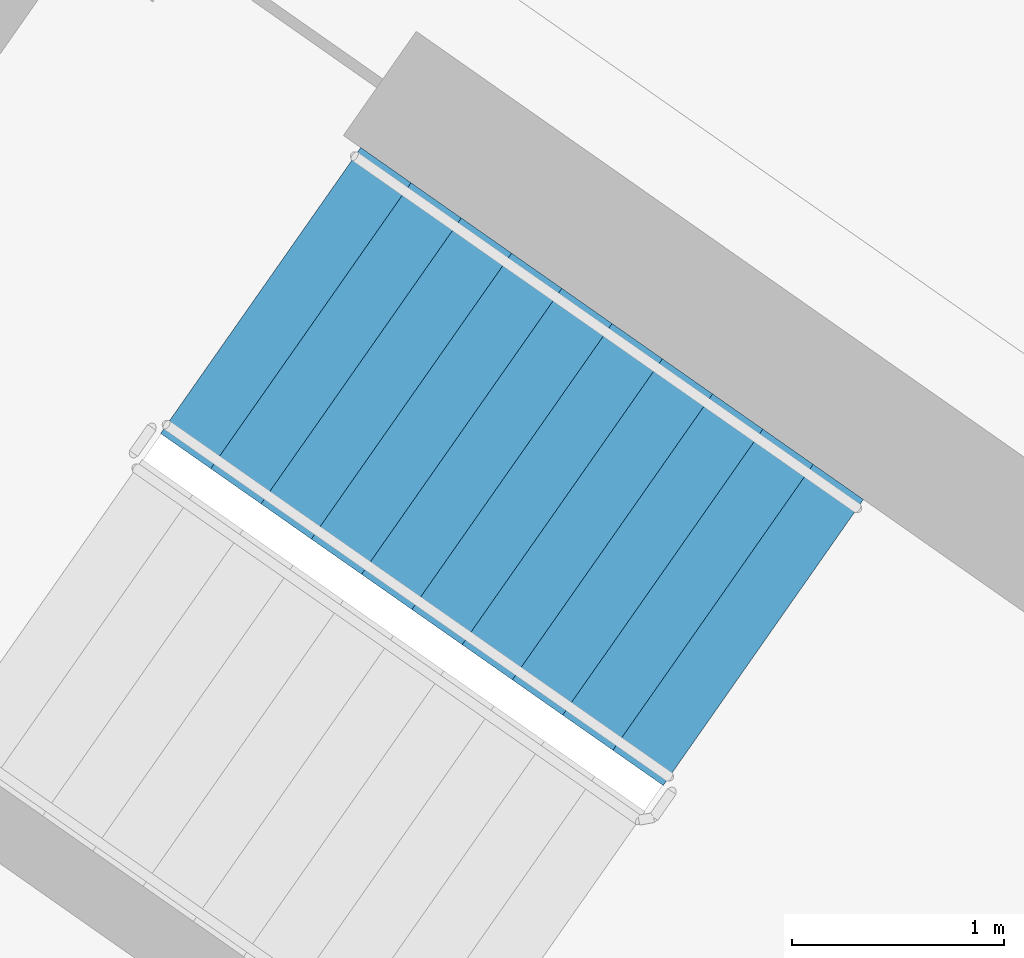
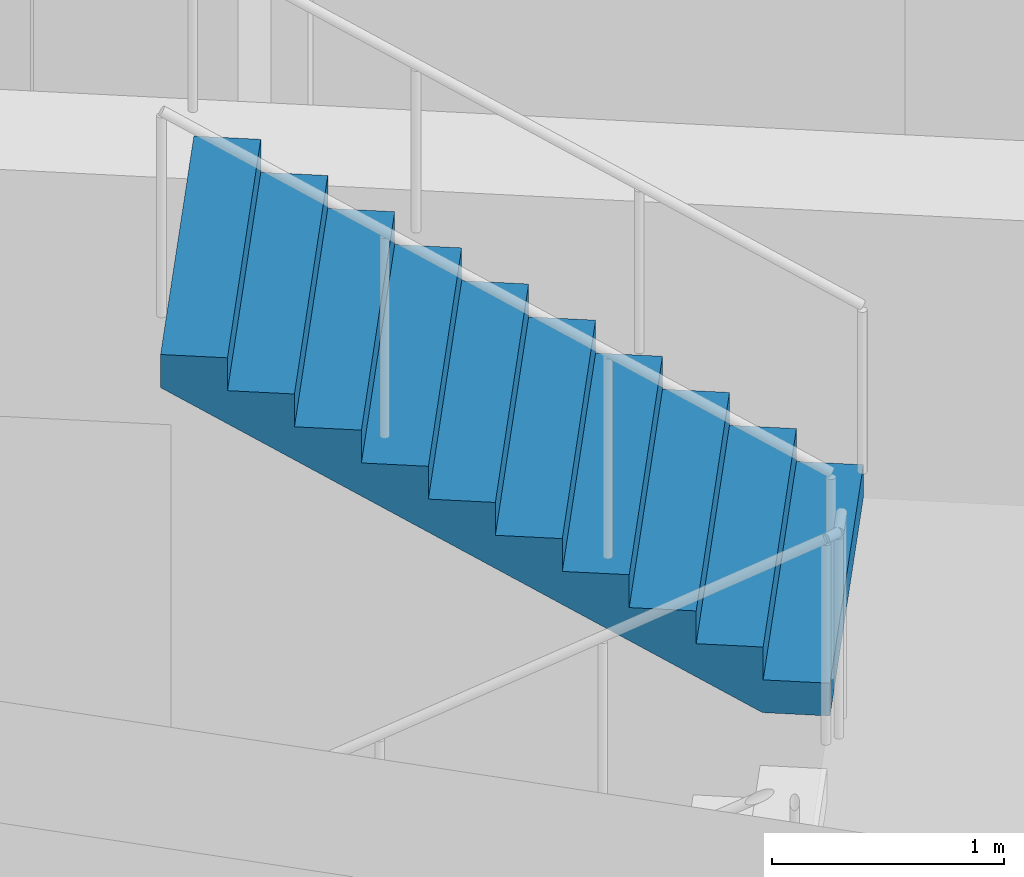
# One storey, part 12 of 27: 1 stair flight, 1 element without a shape of its own.
"""IFC4 building model written with IfcOpenShell, lengths in metres."""

import ifcopenshell
import ifcopenshell.guid

model = None  # the IFC model being written
_history = None  # IfcOwnerHistory: only IFC2X3 demands one
_inside = {}  # id of a spatial element -> (the spatial element, [elements in it])
_under = {}  # id of a project, library or spatial element -> (it, [spatial elements below it])
_declared = {}  # id of a project -> (the project, [libraries it declares])
_typed = {}  # id of a type object -> (the type object, [elements of that type])
_made_of = {}  # id of a material, layer set ... -> (it, [elements and type objects made of it])


def new_model(schema):
    """Start an empty IFC model of exactly this schema.

    Asked for "IFC4X3", IfcOpenShell would pick the latest addendum, in which some entities
    have other attributes; the version numbers below select the first issue.
    IFC2X3 requires an IfcOwnerHistory on every rooted entity: one is made here for all.
    """
    global model, _history
    if schema == "IFC4X3":
        model = ifcopenshell.file(schema_version=(4, 3, 0, 0))
    else:
        model = ifcopenshell.file(schema=schema)
    _inside.clear()
    _under.clear()
    _declared.clear()
    _typed.clear()
    _made_of.clear()
    _history = None
    if model.schema == "IFC2X3":
        org = make("IfcOrganization", Name="unknown")
        user = make(
            "IfcPersonAndOrganization",
            ThePerson=make("IfcPerson", FamilyName="unknown"),
            TheOrganization=org,
        )
        app = make(
            "IfcApplication",
            ApplicationDeveloper=org,
            Version="unknown",
            ApplicationFullName="unknown",
            ApplicationIdentifier="unknown",
        )
        _history = make(
            "IfcOwnerHistory",
            OwningUser=user,
            OwningApplication=app,
            ChangeAction="ADDED",
            CreationDate=0,
        )
    return model


def make(cls, **values):
    """One entity of the class cls with the attributes given. An attribute that is None is left unset."""
    return model.create_entity(
        cls, **{name: value for name, value in values.items() if value is not None}
    )


def rooted(cls, **values):
    """An entity with a GlobalId (a new one), such as an element, a storey or a relation."""
    return make(cls, GlobalId=ifcopenshell.guid.new(), OwnerHistory=_history, **values)


def si_unit(unit_type, name, prefix=None):
    """IfcSIUnit, for example si_unit("LENGTHUNIT", "METRE", prefix="MILLI")."""
    return make("IfcSIUnit", UnitType=unit_type, Prefix=prefix, Name=name)


def assignment(units):
    """IfcUnitAssignment: the units of a project."""
    return None if units is None else make("IfcUnitAssignment", Units=units)


def point(xyz):
    """IfcCartesianPoint."""
    return None if xyz is None else make("IfcCartesianPoint", Coordinates=xyz)


def direction(xyz):
    """IfcDirection."""
    return None if xyz is None else make("IfcDirection", DirectionRatios=xyz)


def frame(location, z_axis=None, x_axis=None):
    """IfcAxis2Placement3D, a coordinate frame: its origin and axes. An axis left out is left unset."""
    return make(
        "IfcAxis2Placement3D",
        Location=point(location),
        Axis=direction(z_axis),
        RefDirection=direction(x_axis),
    )


def origin():
    """The frame at (0, 0, 0) with its axes left unset."""
    return frame((0.0, 0.0, 0.0))


def place(relative_to, where):
    """IfcLocalPlacement: puts the frame where relative to a parent placement (None: the world)."""
    return make(
        "IfcLocalPlacement", PlacementRelTo=relative_to, RelativePlacement=where
    )


def context(
    kind, dimensions, precision=None, world=None, true_north=None, identifier=None
):
    """IfcGeometricRepresentationContext, for example the 3D "Model" context."""
    return make(
        "IfcGeometricRepresentationContext",
        ContextIdentifier=identifier,
        ContextType=kind,
        CoordinateSpaceDimension=dimensions,
        Precision=precision,
        WorldCoordinateSystem=world,
        TrueNorth=true_north,
    )


def subcontext(parent, identifier, kind, view, scale=None):
    """IfcGeometricRepresentationSubContext, for example "Body" below "Model"."""
    return make(
        "IfcGeometricRepresentationSubContext",
        ContextIdentifier=identifier,
        ContextType=kind,
        ParentContext=parent,
        TargetScale=scale,
        TargetView=view,
    )


def project(units=None, contexts=None):
    """IfcProject with its units and contexts."""
    return rooted(
        "IfcProject",
        Name="project",
        RepresentationContexts=contexts,
        UnitsInContext=assignment(units),
    )


def spatial(cls, under=None, at=None, **own):
    """A site, building, storey or space (cls), placed at a placement, below another one or the project."""
    s = rooted(cls, ObjectPlacement=at, **own)
    if under is not None:
        _under.setdefault(under.id(), (under, []))[1].append(s)
    return s


def faces_of(points, faces, orient=None, outer=None):
    """IfcFace entities. A face is a list of loops; a loop is a list of indices into points, from 0.

    orient and outer hold one flag for each loop. By default every Orientation is true, the
    first loop of a face is its IfcFaceOuterBound and the others are IfcFaceBound.
    """
    made = []
    for i, loops in enumerate(faces):
        bounds = []
        for j, loop in enumerate(loops):
            is_outer = j == 0 if outer is None else outer[i][j]
            bounds.append(
                make(
                    "IfcFaceOuterBound" if is_outer else "IfcFaceBound",
                    Bound=make("IfcPolyLoop", Polygon=[points[k] for k in loop]),
                    Orientation=True if orient is None else orient[i][j],
                )
            )
        made.append(make("IfcFace", Bounds=bounds))
    return made


def faceted_brep(points, faces, orient=None, outer=None, voids=None):
    """IfcFacetedBrep: a solid bounded by flat faces; with voids (closed shells), ...WithVoids."""
    shared = [point(p) for p in points]
    hull = make("IfcClosedShell", CfsFaces=faces_of(shared, faces, orient, outer))
    if voids is None:
        return make("IfcFacetedBrep", Outer=hull)
    return make(
        "IfcFacetedBrepWithVoids",
        Outer=hull,
        Voids=[
            make(cls, CfsFaces=faces_of(shared, fs, o, b)) for cls, fs, o, b in voids
        ],
    )


def shape(context_of_items, identifier, shape_type, items):
    """IfcShapeRepresentation: the items that make up one representation, for example the "Body"."""
    return make(
        "IfcShapeRepresentation",
        ContextOfItems=context_of_items,
        RepresentationIdentifier=identifier,
        RepresentationType=shape_type,
        Items=items,
    )


def material(Name=None, Category=None):
    """IfcMaterial."""
    return make("IfcMaterial", Name=Name, Category=Category)


def made_of(thing, what):
    """Note that an element or type object is made of a material, layer set ...; save() writes the relation."""
    if what is not None:
        _made_of.setdefault(what.id(), (what, []))[1].append(thing)
    return thing


def type_object(cls, material=None, **own):
    """A type object (cls), such as IfcWallType, which elements share."""
    return made_of(rooted(cls, **own), material)


def element(
    cls,
    number,
    at=None,
    inside=None,
    cuts=None,
    type_object=None,
    material=None,
    context=None,
    identifier="Body",
    shape_type=None,
    held_by="IfcProductDefinitionShape",
    body=None,
    shapes=None,
    **own,
):
    """One element of the class cls, such as IfcWall. Its Tag is "e" and its number.

    at: its placement. inside: the storey or other place that contains it. cuts: it is an
    opening in that element (IfcRelVoidsElement). A single representation is given by context,
    identifier, shape_type and body (its items); several are given by shapes. held_by: the class
    of the entity that holds the representations. save() writes the other relations.
    """
    e = rooted(cls, Tag="e%d" % number, ObjectPlacement=at, **own)
    if body is not None:
        shapes = [shape(context, identifier, shape_type, body)]
    if shapes is not None:
        e.Representation = make(held_by, Representations=shapes)
    if inside is not None:
        _inside.setdefault(inside.id(), (inside, []))[1].append(e)
    if cuts is not None:
        rooted(
            "IfcRelVoidsElement", RelatingBuildingElement=cuts, RelatedOpeningElement=e
        )
    if type_object is not None:
        _typed.setdefault(type_object.id(), (type_object, []))[1].append(e)
    return made_of(e, material)


def aggregate(whole, parts):
    """IfcRelAggregates: a whole, such as a stair, and the parts it consists of."""
    return rooted("IfcRelAggregates", RelatingObject=whole, RelatedObjects=parts)


def save(model, path):
    """Write the relations noted so far, then the file.

    IfcRelAggregates (storeys below a building ...), IfcRelContainedInSpatialStructure (elements
    in a storey), IfcRelDefinesByType, IfcRelAssociatesMaterial and IfcRelDeclares: one each for
    every whole, place, type object, material and project.
    """
    for whole, parts in _under.values():
        aggregate(whole, parts)
    for where, things in _inside.values():
        rooted(
            "IfcRelContainedInSpatialStructure",
            RelatedElements=things,
            RelatingStructure=where,
        )
    for kind, things in _typed.values():
        rooted("IfcRelDefinesByType", RelatedObjects=things, RelatingType=kind)
    for what, things in _made_of.values():
        rooted("IfcRelAssociatesMaterial", RelatedObjects=things, RelatingMaterial=what)
    for by, libraries in _declared.values():
        rooted("IfcRelDeclares", RelatingContext=by, RelatedDefinitions=libraries)
    model.write(path)


model = new_model("IFC4")

# Units and contexts
model_context = context("Model", 3, precision=1e-05, world=origin(), true_north=direction((0.0, 1.0)))
body_context = subcontext(model_context, "Body", "Model", "MODEL_VIEW")
ifc_project = project(units=[si_unit("LENGTHUNIT", "METRE"), si_unit("AREAUNIT", "SQUARE_METRE"), si_unit("VOLUMEUNIT", "CUBIC_METRE"), si_unit("PLANEANGLEUNIT", "RADIAN"), si_unit("MASSUNIT", "GRAM", prefix="KILO")], contexts=[model_context])

# Site, building, storey
site_placement = place(None, origin())
site = spatial("IfcSite", under=ifc_project, at=site_placement, CompositionType="ELEMENT")
building_placement = place(site_placement, origin())
building = spatial("IfcBuilding", under=site, at=building_placement, Name="Qamariyya Broadcast Tower", CompositionType="ELEMENT")
storey_placement = place(building_placement, frame((0.0, 0.0, 280.89990234375)))
storey = spatial("IfcBuildingStorey", under=building, at=storey_placement, Name="L68", CompositionType="ELEMENT", Elevation=280.89990234375)

# Stair, stair flight
ifc_material = material(Name="Concrete C50/60", Category="concrete")
stair_type = type_object("IfcStairType", Name="Exit stair 22 risers of 173 mm", PredefinedType="HALF_TURN_STAIR", material=ifc_material)
stair_placement = place(storey_placement, origin())
stair = element("IfcStair", 1, at=stair_placement, inside=storey, type_object=stair_type, Name="L68 Stair W2", PredefinedType="HALF_TURN_STAIR")
stair_flight_type = type_object("IfcStairFlightType", Name="Exit stair flight 11 risers of 173 mm", PredefinedType="STRAIGHT", material=ifc_material)
stair_flight_placement = place(storey_placement, frame((-38.18310546875, -49.3486328125, 1.900146484375), z_axis=(0.0, 0.0, 1.0), x_axis=(-0.819152044289, 0.573576436351, 0.0)))
stair_flight = element("IfcStairFlight", 2, at=stair_flight_placement, type_object=stair_flight_type, Name="ST-W2 flight 2", NumberOfRisers=11, NumberOfTreads=10, PredefinedType="STRAIGHT", RiserHeight=0.172727273, TreadLength=0.29, context=body_context, shape_type="Brep", body=[
    faceted_brep([(0.0, 0.824951171875, 0.0), (0.0, 0.824951171875, 0.172607421875), (0.2900390625, 0.824951171875, 0.172607421875), (0.2900390625, 0.824951171875, 0.345458984375), (0.580078125, 0.824951171875, 0.345458984375), (0.580078125, 0.824951171875, 0.51806640625), (0.8701171875, 0.824951171875, 0.51806640625), (0.8701171875, 0.824951171875, 0.69091796875), (1.159912109375, 0.824951171875, 0.69091796875), (1.159912109375, 0.824951171875, 0.863525390625), (1.449951171875, 0.824951171875, 0.863525390625), (1.449951171875, 0.824951171875, 1.036376953125), (1.739990234375, 0.824951171875, 1.036376953125), (1.739990234375, 0.824951171875, 1.208984375), (2.030029296875, 0.824951171875, 1.208984375), (2.030029296875, 0.824951171875, 1.3818359375), (2.320068359375, 0.824951171875, 1.3818359375), (2.320068359375, 0.824951171875, 1.554443359375), (2.610107421875, 0.824951171875, 1.554443359375), (2.610107421875, 0.824951171875, 1.727294921875), (2.89990234375, 0.824951171875, 1.727294921875), (2.89990234375, 0.824951171875, 1.552734375), (0.29296875, 0.824951171875, 0.0), (0.29296875, -0.824951171875, 0.0), (2.89990234375, -0.824951171875, 1.552734375), (2.89990234375, -0.824951171875, 1.727294921875), (2.610107421875, -0.824951171875, 1.727294921875), (2.610107421875, -0.824951171875, 1.554443359375), (2.320068359375, -0.824951171875, 1.554443359375), (2.320068359375, -0.824951171875, 1.3818359375), (2.030029296875, -0.824951171875, 1.3818359375), (2.030029296875, -0.824951171875, 1.208984375), (1.739990234375, -0.824951171875, 1.208984375), (1.739990234375, -0.824951171875, 1.036376953125), (1.449951171875, -0.824951171875, 1.036376953125), (1.449951171875, -0.824951171875, 0.863525390625), (1.159912109375, -0.824951171875, 0.863525390625), (1.159912109375, -0.824951171875, 0.69091796875), (0.8701171875, -0.824951171875, 0.69091796875), (0.8701171875, -0.824951171875, 0.51806640625), (0.580078125, -0.824951171875, 0.51806640625), (0.580078125, -0.824951171875, 0.345458984375), (0.2900390625, -0.824951171875, 0.345458984375), (0.2900390625, -0.824951171875, 0.172607421875), (0.0, -0.824951171875, 0.172607421875), (0.0, -0.824951171875, 0.0), (0.0, 0.10009765625, 0.0), (0.0, 0.086669921875, 0.0), (0.0, 0.0732421875, 0.0), (0.0, 0.06005859375, 0.0), (0.0, 0.046630859375, 0.0), (0.0, 0.033447265625, 0.0), (0.0, 0.02001953125, 0.0), (0.0, 0.006591796875, 0.0), (0.0, -0.006591796875, 0.0), (0.0, -0.02001953125, 0.0), (0.0, -0.033447265625, 0.0), (0.0, -0.046630859375, 0.0), (0.0, -0.06005859375, 0.0), (0.0, -0.0732421875, 0.0), (0.0, -0.086669921875, 0.0), (0.0, -0.10009765625, 0.0), (0.0, -0.10009765625, 0.172607421875), (0.0, -0.086669921875, 0.172607421875), (0.0, -0.0732421875, 0.172607421875), (0.0, -0.06005859375, 0.172607421875), (0.0, -0.046630859375, 0.172607421875), (0.0, -0.033447265625, 0.172607421875), (0.0, -0.02001953125, 0.172607421875), (0.0, -0.006591796875, 0.172607421875), (0.0, 0.006591796875, 0.172607421875), (0.0, 0.02001953125, 0.172607421875), (0.0, 0.033447265625, 0.172607421875), (0.0, 0.046630859375, 0.172607421875), (0.0, 0.06005859375, 0.172607421875), (0.0, 0.0732421875, 0.172607421875), (0.0, 0.086669921875, 0.172607421875), (0.0, 0.10009765625, 0.172607421875), (0.2900390625, -0.10009765625, 0.172607421875), (0.2900390625, -0.086669921875, 0.172607421875), (0.2900390625, -0.0732421875, 0.172607421875), (0.2900390625, -0.06005859375, 0.172607421875), (0.2900390625, -0.046630859375, 0.172607421875), (0.2900390625, -0.033447265625, 0.172607421875), (0.2900390625, -0.02001953125, 0.172607421875), (0.2900390625, -0.006591796875, 0.172607421875), (0.2900390625, 0.006591796875, 0.172607421875), (0.2900390625, 0.02001953125, 0.172607421875), (0.2900390625, 0.033447265625, 0.172607421875), (0.2900390625, 0.046630859375, 0.172607421875), (0.2900390625, 0.06005859375, 0.172607421875), (0.2900390625, 0.0732421875, 0.172607421875), (0.2900390625, 0.086669921875, 0.172607421875), (0.2900390625, 0.10009765625, 0.172607421875), (0.2900390625, -0.10009765625, 0.345458984375), (0.2900390625, -0.086669921875, 0.345458984375), (0.2900390625, -0.0732421875, 0.345458984375), (0.2900390625, -0.06005859375, 0.345458984375), (0.2900390625, -0.046630859375, 0.345458984375), (0.2900390625, -0.033447265625, 0.345458984375), (0.2900390625, -0.02001953125, 0.345458984375), (0.2900390625, -0.006591796875, 0.345458984375), (0.2900390625, 0.006591796875, 0.345458984375), (0.2900390625, 0.02001953125, 0.345458984375), (0.2900390625, 0.033447265625, 0.345458984375), (0.2900390625, 0.046630859375, 0.345458984375), (0.2900390625, 0.06005859375, 0.345458984375), (0.2900390625, 0.0732421875, 0.345458984375), (0.2900390625, 0.086669921875, 0.345458984375), (0.2900390625, 0.10009765625, 0.345458984375), (0.580078125, -0.10009765625, 0.345458984375), (0.580078125, -0.086669921875, 0.345458984375), (0.580078125, -0.0732421875, 0.345458984375), (0.580078125, -0.06005859375, 0.345458984375), (0.580078125, -0.046630859375, 0.345458984375), (0.580078125, -0.033447265625, 0.345458984375), (0.580078125, -0.02001953125, 0.345458984375), (0.580078125, -0.006591796875, 0.345458984375), (0.580078125, 0.006591796875, 0.345458984375), (0.580078125, 0.02001953125, 0.345458984375), (0.580078125, 0.033447265625, 0.345458984375), (0.580078125, 0.046630859375, 0.345458984375), (0.580078125, 0.06005859375, 0.345458984375), (0.580078125, 0.0732421875, 0.345458984375), (0.580078125, 0.086669921875, 0.345458984375), (0.580078125, 0.10009765625, 0.345458984375), (0.580078125, -0.10009765625, 0.51806640625), (0.580078125, -0.086669921875, 0.51806640625), (0.580078125, -0.0732421875, 0.51806640625), (0.580078125, -0.06005859375, 0.51806640625), (0.580078125, -0.046630859375, 0.51806640625), (0.580078125, -0.033447265625, 0.51806640625), (0.580078125, -0.02001953125, 0.51806640625), (0.580078125, -0.006591796875, 0.51806640625), (0.580078125, 0.006591796875, 0.51806640625), (0.580078125, 0.02001953125, 0.51806640625), (0.580078125, 0.033447265625, 0.51806640625), (0.580078125, 0.046630859375, 0.51806640625), (0.580078125, 0.06005859375, 0.51806640625), (0.580078125, 0.0732421875, 0.51806640625), (0.580078125, 0.086669921875, 0.51806640625), (0.580078125, 0.10009765625, 0.51806640625), (0.8701171875, -0.10009765625, 0.51806640625), (0.8701171875, -0.086669921875, 0.51806640625), (0.8701171875, -0.0732421875, 0.51806640625), (0.8701171875, -0.06005859375, 0.51806640625), (0.8701171875, -0.046630859375, 0.51806640625), (0.8701171875, -0.033447265625, 0.51806640625), (0.8701171875, -0.02001953125, 0.51806640625), (0.8701171875, -0.006591796875, 0.51806640625), (0.8701171875, 0.006591796875, 0.51806640625), (0.8701171875, 0.02001953125, 0.51806640625), (0.8701171875, 0.033447265625, 0.51806640625), (0.8701171875, 0.046630859375, 0.51806640625), (0.8701171875, 0.06005859375, 0.51806640625), (0.8701171875, 0.0732421875, 0.51806640625), (0.8701171875, 0.086669921875, 0.51806640625), (0.8701171875, 0.10009765625, 0.51806640625), (0.8701171875, -0.10009765625, 0.69091796875), (0.8701171875, -0.086669921875, 0.69091796875), (0.8701171875, -0.0732421875, 0.69091796875), (0.8701171875, -0.06005859375, 0.69091796875), (0.8701171875, -0.046630859375, 0.69091796875), (0.8701171875, -0.033447265625, 0.69091796875), (0.8701171875, -0.02001953125, 0.69091796875), (0.8701171875, -0.006591796875, 0.69091796875), (0.8701171875, 0.006591796875, 0.69091796875), (0.8701171875, 0.02001953125, 0.69091796875), (0.8701171875, 0.033447265625, 0.69091796875), (0.8701171875, 0.046630859375, 0.69091796875), (0.8701171875, 0.06005859375, 0.69091796875), (0.8701171875, 0.0732421875, 0.69091796875), (0.8701171875, 0.086669921875, 0.69091796875), (0.8701171875, 0.10009765625, 0.69091796875), (1.159912109375, -0.10009765625, 0.69091796875), (1.159912109375, -0.086669921875, 0.69091796875), (1.159912109375, -0.0732421875, 0.69091796875), (1.159912109375, -0.06005859375, 0.69091796875), (1.159912109375, -0.046630859375, 0.69091796875), (1.159912109375, -0.033447265625, 0.69091796875), (1.159912109375, -0.02001953125, 0.69091796875), (1.159912109375, -0.006591796875, 0.69091796875), (1.159912109375, 0.006591796875, 0.69091796875), (1.159912109375, 0.02001953125, 0.69091796875), (1.159912109375, 0.033447265625, 0.69091796875), (1.159912109375, 0.046630859375, 0.69091796875), (1.159912109375, 0.06005859375, 0.69091796875), (1.159912109375, 0.0732421875, 0.69091796875), (1.159912109375, 0.086669921875, 0.69091796875), (1.159912109375, 0.10009765625, 0.69091796875), (1.159912109375, -0.10009765625, 0.863525390625), (1.159912109375, -0.086669921875, 0.863525390625), (1.159912109375, -0.0732421875, 0.863525390625), (1.159912109375, -0.06005859375, 0.863525390625), (1.159912109375, -0.046630859375, 0.863525390625), (1.159912109375, -0.033447265625, 0.863525390625), (1.159912109375, -0.02001953125, 0.863525390625), (1.159912109375, -0.006591796875, 0.863525390625), (1.159912109375, 0.006591796875, 0.863525390625), (1.159912109375, 0.02001953125, 0.863525390625), (1.159912109375, 0.033447265625, 0.863525390625), (1.159912109375, 0.046630859375, 0.863525390625), (1.159912109375, 0.06005859375, 0.863525390625), (1.159912109375, 0.0732421875, 0.863525390625), (1.159912109375, 0.086669921875, 0.863525390625), (1.159912109375, 0.10009765625, 0.863525390625), (1.449951171875, -0.10009765625, 0.863525390625), (1.449951171875, -0.086669921875, 0.863525390625), (1.449951171875, -0.0732421875, 0.863525390625), (1.449951171875, -0.06005859375, 0.863525390625), (1.449951171875, -0.046630859375, 0.863525390625), (1.449951171875, -0.033447265625, 0.863525390625), (1.449951171875, -0.02001953125, 0.863525390625), (1.449951171875, -0.006591796875, 0.863525390625), (1.449951171875, 0.006591796875, 0.863525390625), (1.449951171875, 0.02001953125, 0.863525390625), (1.449951171875, 0.033447265625, 0.863525390625), (1.449951171875, 0.046630859375, 0.863525390625), (1.449951171875, 0.06005859375, 0.863525390625), (1.449951171875, 0.0732421875, 0.863525390625), (1.449951171875, 0.086669921875, 0.863525390625), (1.449951171875, 0.10009765625, 0.863525390625), (1.449951171875, -0.10009765625, 1.036376953125), (1.449951171875, -0.086669921875, 1.036376953125), (1.449951171875, -0.0732421875, 1.036376953125), (1.449951171875, -0.06005859375, 1.036376953125), (1.449951171875, -0.046630859375, 1.036376953125), (1.449951171875, -0.033447265625, 1.036376953125), (1.449951171875, -0.02001953125, 1.036376953125), (1.449951171875, -0.006591796875, 1.036376953125), (1.449951171875, 0.006591796875, 1.036376953125), (1.449951171875, 0.02001953125, 1.036376953125), (1.449951171875, 0.033447265625, 1.036376953125), (1.449951171875, 0.046630859375, 1.036376953125), (1.449951171875, 0.06005859375, 1.036376953125), (1.449951171875, 0.0732421875, 1.036376953125), (1.449951171875, 0.086669921875, 1.036376953125), (1.449951171875, 0.10009765625, 1.036376953125), (1.739990234375, -0.10009765625, 1.036376953125), (1.739990234375, -0.086669921875, 1.036376953125), (1.739990234375, -0.0732421875, 1.036376953125), (1.739990234375, -0.06005859375, 1.036376953125), (1.739990234375, -0.046630859375, 1.036376953125), (1.739990234375, -0.033447265625, 1.036376953125), (1.739990234375, -0.02001953125, 1.036376953125), (1.739990234375, -0.006591796875, 1.036376953125), (1.739990234375, 0.006591796875, 1.036376953125), (1.739990234375, 0.02001953125, 1.036376953125), (1.739990234375, 0.033447265625, 1.036376953125), (1.739990234375, 0.046630859375, 1.036376953125), (1.739990234375, 0.06005859375, 1.036376953125), (1.739990234375, 0.0732421875, 1.036376953125), (1.739990234375, 0.086669921875, 1.036376953125), (1.739990234375, 0.10009765625, 1.036376953125), (1.739990234375, -0.10009765625, 1.208984375), (1.739990234375, -0.086669921875, 1.208984375), (1.739990234375, -0.0732421875, 1.208984375), (1.739990234375, -0.06005859375, 1.208984375), (1.739990234375, -0.046630859375, 1.208984375), (1.739990234375, -0.033447265625, 1.208984375), (1.739990234375, -0.02001953125, 1.208984375), (1.739990234375, -0.006591796875, 1.208984375), (1.739990234375, 0.006591796875, 1.208984375), (1.739990234375, 0.02001953125, 1.208984375), (1.739990234375, 0.033447265625, 1.208984375), (1.739990234375, 0.046630859375, 1.208984375), (1.739990234375, 0.06005859375, 1.208984375), (1.739990234375, 0.0732421875, 1.208984375), (1.739990234375, 0.086669921875, 1.208984375), (1.739990234375, 0.10009765625, 1.208984375), (2.030029296875, -0.10009765625, 1.208984375), (2.030029296875, -0.086669921875, 1.208984375), (2.030029296875, -0.0732421875, 1.208984375), (2.030029296875, -0.06005859375, 1.208984375), (2.030029296875, -0.046630859375, 1.208984375), (2.030029296875, -0.033447265625, 1.208984375), (2.030029296875, -0.02001953125, 1.208984375), (2.030029296875, -0.006591796875, 1.208984375), (2.030029296875, 0.006591796875, 1.208984375), (2.030029296875, 0.02001953125, 1.208984375), (2.030029296875, 0.033447265625, 1.208984375), (2.030029296875, 0.046630859375, 1.208984375), (2.030029296875, 0.06005859375, 1.208984375), (2.030029296875, 0.0732421875, 1.208984375), (2.030029296875, 0.086669921875, 1.208984375), (2.030029296875, 0.10009765625, 1.208984375), (2.030029296875, -0.10009765625, 1.3818359375), (2.030029296875, -0.086669921875, 1.3818359375), (2.030029296875, -0.0732421875, 1.3818359375), (2.030029296875, -0.06005859375, 1.3818359375), (2.030029296875, -0.046630859375, 1.3818359375), (2.030029296875, -0.033447265625, 1.3818359375), (2.030029296875, -0.02001953125, 1.3818359375), (2.030029296875, -0.006591796875, 1.3818359375), (2.030029296875, 0.006591796875, 1.3818359375), (2.030029296875, 0.02001953125, 1.3818359375), (2.030029296875, 0.033447265625, 1.3818359375), (2.030029296875, 0.046630859375, 1.3818359375), (2.030029296875, 0.06005859375, 1.3818359375), (2.030029296875, 0.0732421875, 1.3818359375), (2.030029296875, 0.086669921875, 1.3818359375), (2.030029296875, 0.10009765625, 1.3818359375), (2.320068359375, -0.10009765625, 1.3818359375), (2.320068359375, -0.086669921875, 1.3818359375), (2.320068359375, -0.0732421875, 1.3818359375), (2.320068359375, -0.06005859375, 1.3818359375), (2.320068359375, -0.046630859375, 1.3818359375), (2.320068359375, -0.033447265625, 1.3818359375), (2.320068359375, -0.02001953125, 1.3818359375), (2.320068359375, -0.006591796875, 1.3818359375), (2.320068359375, 0.006591796875, 1.3818359375), (2.320068359375, 0.02001953125, 1.3818359375), (2.320068359375, 0.033447265625, 1.3818359375), (2.320068359375, 0.046630859375, 1.3818359375), (2.320068359375, 0.06005859375, 1.3818359375), (2.320068359375, 0.0732421875, 1.3818359375), (2.320068359375, 0.086669921875, 1.3818359375), (2.320068359375, 0.10009765625, 1.3818359375), (2.320068359375, -0.10009765625, 1.554443359375), (2.320068359375, -0.086669921875, 1.554443359375), (2.320068359375, -0.0732421875, 1.554443359375), (2.320068359375, -0.06005859375, 1.554443359375), (2.320068359375, -0.046630859375, 1.554443359375), (2.320068359375, -0.033447265625, 1.554443359375), (2.320068359375, -0.02001953125, 1.554443359375), (2.320068359375, -0.006591796875, 1.554443359375), (2.320068359375, 0.006591796875, 1.554443359375), (2.320068359375, 0.02001953125, 1.554443359375), (2.320068359375, 0.033447265625, 1.554443359375), (2.320068359375, 0.046630859375, 1.554443359375), (2.320068359375, 0.06005859375, 1.554443359375), (2.320068359375, 0.0732421875, 1.554443359375), (2.320068359375, 0.086669921875, 1.554443359375), (2.320068359375, 0.10009765625, 1.554443359375), (2.610107421875, -0.10009765625, 1.554443359375), (2.610107421875, -0.086669921875, 1.554443359375), (2.610107421875, -0.0732421875, 1.554443359375), (2.610107421875, -0.06005859375, 1.554443359375), (2.610107421875, -0.046630859375, 1.554443359375), (2.610107421875, -0.033447265625, 1.554443359375), (2.610107421875, -0.02001953125, 1.554443359375), (2.610107421875, -0.006591796875, 1.554443359375), (2.610107421875, 0.006591796875, 1.554443359375), (2.610107421875, 0.02001953125, 1.554443359375), (2.610107421875, 0.033447265625, 1.554443359375), (2.610107421875, 0.046630859375, 1.554443359375), (2.610107421875, 0.06005859375, 1.554443359375), (2.610107421875, 0.0732421875, 1.554443359375), (2.610107421875, 0.086669921875, 1.554443359375), (2.610107421875, 0.10009765625, 1.554443359375), (2.610107421875, -0.10009765625, 1.727294921875), (2.610107421875, -0.086669921875, 1.727294921875), (2.610107421875, -0.0732421875, 1.727294921875), (2.610107421875, -0.06005859375, 1.727294921875), (2.610107421875, -0.046630859375, 1.727294921875), (2.610107421875, -0.033447265625, 1.727294921875), (2.610107421875, -0.02001953125, 1.727294921875), (2.610107421875, -0.006591796875, 1.727294921875), (2.610107421875, 0.006591796875, 1.727294921875), (2.610107421875, 0.02001953125, 1.727294921875), (2.610107421875, 0.033447265625, 1.727294921875), (2.610107421875, 0.046630859375, 1.727294921875), (2.610107421875, 0.06005859375, 1.727294921875), (2.610107421875, 0.0732421875, 1.727294921875), (2.610107421875, 0.086669921875, 1.727294921875), (2.610107421875, 0.10009765625, 1.727294921875), (2.89990234375, -0.10009765625, 1.727294921875), (2.89990234375, -0.086669921875, 1.727294921875), (2.89990234375, -0.0732421875, 1.727294921875), (2.89990234375, -0.06005859375, 1.727294921875), (2.89990234375, -0.046630859375, 1.727294921875), (2.89990234375, -0.033447265625, 1.727294921875), (2.89990234375, -0.02001953125, 1.727294921875), (2.89990234375, -0.006591796875, 1.727294921875), (2.89990234375, 0.006591796875, 1.727294921875), (2.89990234375, 0.02001953125, 1.727294921875), (2.89990234375, 0.033447265625, 1.727294921875), (2.89990234375, 0.046630859375, 1.727294921875), (2.89990234375, 0.06005859375, 1.727294921875), (2.89990234375, 0.0732421875, 1.727294921875), (2.89990234375, 0.086669921875, 1.727294921875), (2.89990234375, 0.10009765625, 1.727294921875), (2.89990234375, -0.10009765625, 1.552734375), (2.89990234375, -0.086669921875, 1.552734375), (2.89990234375, -0.0732421875, 1.552734375), (2.89990234375, -0.06005859375, 1.552734375), (2.89990234375, -0.046630859375, 1.552734375), (2.89990234375, -0.033447265625, 1.552734375), (2.89990234375, -0.02001953125, 1.552734375), (2.89990234375, -0.006591796875, 1.552734375), (2.89990234375, 0.006591796875, 1.552734375), (2.89990234375, 0.02001953125, 1.552734375), (2.89990234375, 0.033447265625, 1.552734375), (2.89990234375, 0.046630859375, 1.552734375), (2.89990234375, 0.06005859375, 1.552734375), (2.89990234375, 0.0732421875, 1.552734375), (2.89990234375, 0.086669921875, 1.552734375), (2.89990234375, 0.10009765625, 1.552734375), (0.29296875, -0.10009765625, 0.0), (0.29296875, -0.086669921875, 0.0), (0.29296875, -0.0732421875, 0.0), (0.29296875, -0.06005859375, 0.0), (0.29296875, -0.046630859375, 0.0), (0.29296875, -0.033447265625, 0.0), (0.29296875, -0.02001953125, 0.0), (0.29296875, -0.006591796875, 0.0), (0.29296875, 0.006591796875, 0.0), (0.29296875, 0.02001953125, 0.0), (0.29296875, 0.033447265625, 0.0), (0.29296875, 0.046630859375, 0.0), (0.29296875, 0.06005859375, 0.0), (0.29296875, 0.0732421875, 0.0), (0.29296875, 0.086669921875, 0.0), (0.29296875, 0.10009765625, 0.0)], [[[0, 1, 2, 3, 4, 5, 6, 7, 8, 9, 10, 11, 12, 13, 14, 15, 16, 17, 18, 19, 20, 21, 22]], [[23, 24, 25, 26, 27, 28, 29, 30, 31, 32, 33, 34, 35, 36, 37, 38, 39, 40, 41, 42, 43, 44, 45]], [[0, 46, 47, 48, 49, 50, 51, 52, 53, 54, 55, 56, 57, 58, 59, 60, 61, 45, 44, 62, 63, 64, 65, 66, 67, 68, 69, 70, 71, 72, 73, 74, 75, 76, 77, 1]], [[1, 77, 76, 75, 74, 73, 72, 71, 70, 69, 68, 67, 66, 65, 64, 63, 62, 44, 43, 78, 79, 80, 81, 82, 83, 84, 85, 86, 87, 88, 89, 90, 91, 92, 93, 2]], [[2, 93, 92, 91, 90, 89, 88, 87, 86, 85, 84, 83, 82, 81, 80, 79, 78, 43, 42, 94, 95, 96, 97, 98, 99, 100, 101, 102, 103, 104, 105, 106, 107, 108, 109, 3]], [[3, 109, 108, 107, 106, 105, 104, 103, 102, 101, 100, 99, 98, 97, 96, 95, 94, 42, 41, 110, 111, 112, 113, 114, 115, 116, 117, 118, 119, 120, 121, 122, 123, 124, 125, 4]], [[4, 125, 124, 123, 122, 121, 120, 119, 118, 117, 116, 115, 114, 113, 112, 111, 110, 41, 40, 126, 127, 128, 129, 130, 131, 132, 133, 134, 135, 136, 137, 138, 139, 140, 141, 5]], [[5, 141, 140, 139, 138, 137, 136, 135, 134, 133, 132, 131, 130, 129, 128, 127, 126, 40, 39, 142, 143, 144, 145, 146, 147, 148, 149, 150, 151, 152, 153, 154, 155, 156, 157, 6]], [[6, 157, 156, 155, 154, 153, 152, 151, 150, 149, 148, 147, 146, 145, 144, 143, 142, 39, 38, 158, 159, 160, 161, 162, 163, 164, 165, 166, 167, 168, 169, 170, 171, 172, 173, 7]], [[7, 173, 172, 171, 170, 169, 168, 167, 166, 165, 164, 163, 162, 161, 160, 159, 158, 38, 37, 174, 175, 176, 177, 178, 179, 180, 181, 182, 183, 184, 185, 186, 187, 188, 189, 8]], [[8, 189, 188, 187, 186, 185, 184, 183, 182, 181, 180, 179, 178, 177, 176, 175, 174, 37, 36, 190, 191, 192, 193, 194, 195, 196, 197, 198, 199, 200, 201, 202, 203, 204, 205, 9]], [[9, 205, 204, 203, 202, 201, 200, 199, 198, 197, 196, 195, 194, 193, 192, 191, 190, 36, 35, 206, 207, 208, 209, 210, 211, 212, 213, 214, 215, 216, 217, 218, 219, 220, 221, 10]], [[10, 221, 220, 219, 218, 217, 216, 215, 214, 213, 212, 211, 210, 209, 208, 207, 206, 35, 34, 222, 223, 224, 225, 226, 227, 228, 229, 230, 231, 232, 233, 234, 235, 236, 237, 11]], [[11, 237, 236, 235, 234, 233, 232, 231, 230, 229, 228, 227, 226, 225, 224, 223, 222, 34, 33, 238, 239, 240, 241, 242, 243, 244, 245, 246, 247, 248, 249, 250, 251, 252, 253, 12]], [[12, 253, 252, 251, 250, 249, 248, 247, 246, 245, 244, 243, 242, 241, 240, 239, 238, 33, 32, 254, 255, 256, 257, 258, 259, 260, 261, 262, 263, 264, 265, 266, 267, 268, 269, 13]], [[13, 269, 268, 267, 266, 265, 264, 263, 262, 261, 260, 259, 258, 257, 256, 255, 254, 32, 31, 270, 271, 272, 273, 274, 275, 276, 277, 278, 279, 280, 281, 282, 283, 284, 285, 14]], [[14, 285, 284, 283, 282, 281, 280, 279, 278, 277, 276, 275, 274, 273, 272, 271, 270, 31, 30, 286, 287, 288, 289, 290, 291, 292, 293, 294, 295, 296, 297, 298, 299, 300, 301, 15]], [[15, 301, 300, 299, 298, 297, 296, 295, 294, 293, 292, 291, 290, 289, 288, 287, 286, 30, 29, 302, 303, 304, 305, 306, 307, 308, 309, 310, 311, 312, 313, 314, 315, 316, 317, 16]], [[16, 317, 316, 315, 314, 313, 312, 311, 310, 309, 308, 307, 306, 305, 304, 303, 302, 29, 28, 318, 319, 320, 321, 322, 323, 324, 325, 326, 327, 328, 329, 330, 331, 332, 333, 17]], [[17, 333, 332, 331, 330, 329, 328, 327, 326, 325, 324, 323, 322, 321, 320, 319, 318, 28, 27, 334, 335, 336, 337, 338, 339, 340, 341, 342, 343, 344, 345, 346, 347, 348, 349, 18]], [[18, 349, 348, 347, 346, 345, 344, 343, 342, 341, 340, 339, 338, 337, 336, 335, 334, 27, 26, 350, 351, 352, 353, 354, 355, 356, 357, 358, 359, 360, 361, 362, 363, 364, 365, 19]], [[19, 365, 364, 363, 362, 361, 360, 359, 358, 357, 356, 355, 354, 353, 352, 351, 350, 26, 25, 366, 367, 368, 369, 370, 371, 372, 373, 374, 375, 376, 377, 378, 379, 380, 381, 20]], [[20, 381, 380, 379, 378, 377, 376, 375, 374, 373, 372, 371, 370, 369, 368, 367, 366, 25, 24, 382, 383, 384, 385, 386, 387, 388, 389, 390, 391, 392, 393, 394, 395, 396, 397, 21]], [[21, 397, 396, 395, 394, 393, 392, 391, 390, 389, 388, 387, 386, 385, 384, 383, 382, 24, 23, 398, 399, 400, 401, 402, 403, 404, 405, 406, 407, 408, 409, 410, 411, 412, 413, 22]], [[22, 413, 412, 411, 410, 409, 408, 407, 406, 405, 404, 403, 402, 401, 400, 399, 398, 23, 45, 61, 60, 59, 58, 57, 56, 55, 54, 53, 52, 51, 50, 49, 48, 47, 46, 0]]]),
])
aggregate(stair, [stair_flight])

save(model, "model.ifc")
